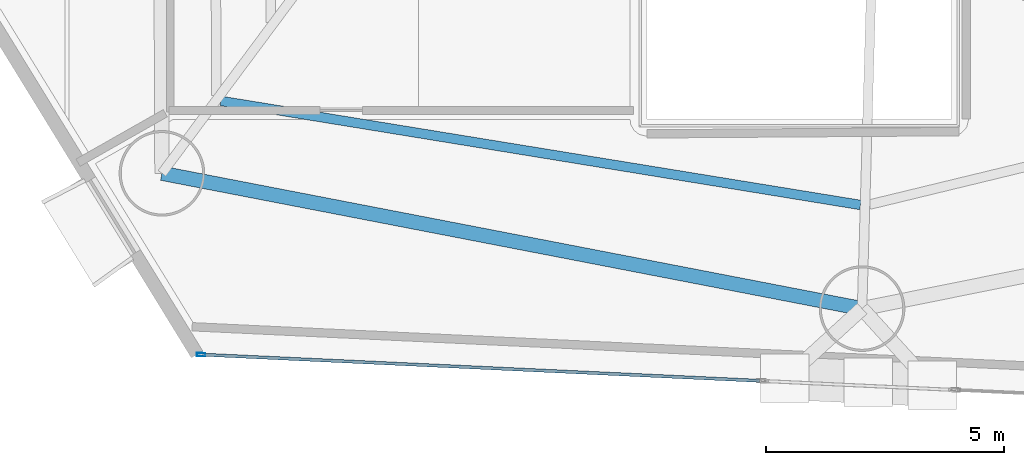
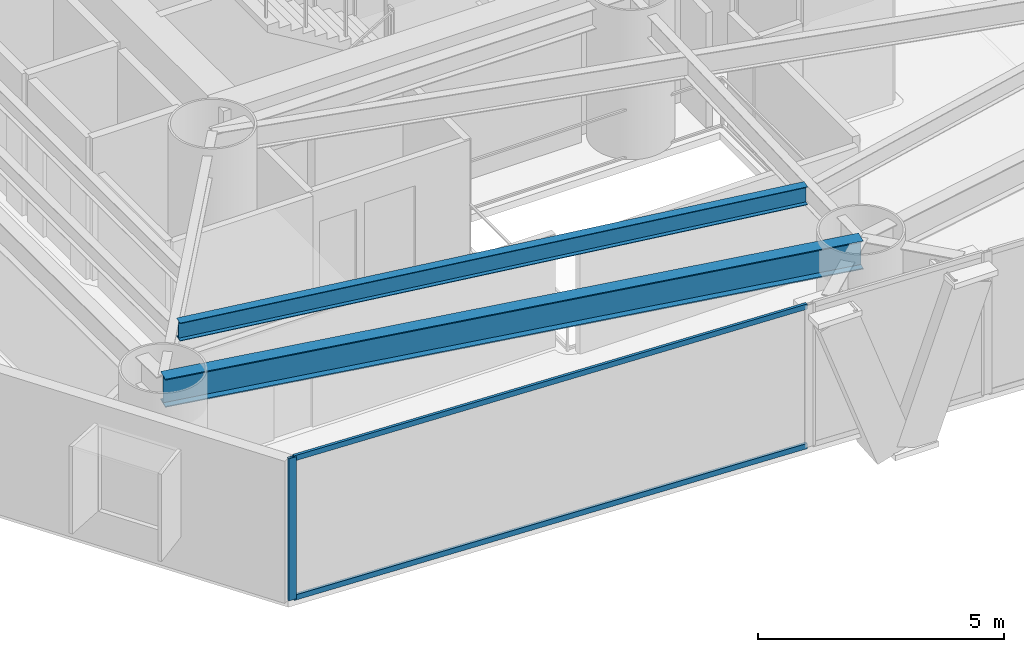
# One storey, part 2 of 23: 3 members, 2 beams, 1 element without a shape of its own.
"""IFC4 building model written with IfcOpenShell, lengths in metres."""

from ifc_helpers import new_model, si_unit, direction, frame, origin, origin_2d, place, context, subcontext, project, spatial, hollow_rectangle, i_section, extrude, material, layer, layer_set, material_profile, profile_set, type_object, element, aggregate, save


model = new_model("IFC4")

# Units and contexts
model_context = context("Model", 3, precision=1e-05, world=origin(), true_north=direction((0.0, 1.0)))
body_context = subcontext(model_context, "Body", "Model", "MODEL_VIEW")
ifc_project = project(units=[si_unit("LENGTHUNIT", "METRE"), si_unit("AREAUNIT", "SQUARE_METRE"), si_unit("VOLUMEUNIT", "CUBIC_METRE"), si_unit("PLANEANGLEUNIT", "RADIAN"), si_unit("MASSUNIT", "GRAM", prefix="KILO")], contexts=[model_context])

# Site, building, storey
site_placement = place(None, origin())
site = spatial("IfcSite", under=ifc_project, at=site_placement, CompositionType="ELEMENT")
building_placement = place(site_placement, origin())
building = spatial("IfcBuilding", under=site, at=building_placement, Name="Qianvela Tower", CompositionType="ELEMENT")
storey_placement = place(building_placement, frame((0.0, 0.0, 33.10009765625)))
storey = spatial("IfcBuildingStorey", under=building, at=storey_placement, Name="L07", CompositionType="ELEMENT", Elevation=33.10009765625)

# Beams
ifc_material_1 = material(Name="Steel Q355B", Category="steel")
ifc_material_profile_1 = material_profile(ifc_material_1, i_section(OverallWidth=0.199951171875, OverallDepth=0.449951171875, WebThickness=0.009033203125, FlangeThickness=0.013916015625, at=origin_2d()), Name="HN450x200x9x14")
ifc_profile_set_1 = profile_set([ifc_material_profile_1], Name="Steel Q355B")
beam_type_1 = type_object("IfcBeamType", Name="BM-HN450-JOIST", PredefinedType="JOIST", material=ifc_profile_set_1)
beam_1_placement = place(storey_placement, frame((24.641845703125, 18.38232421875, 3.29296875), z_axis=(0.987021609832, -0.160587489316, 0.0), x_axis=(0.160587489316, 0.987021609832, 0.0)))
element("IfcBeam", 1, at=beam_1_placement, inside=storey, type_object=beam_type_1, Name="L07 Secondary Composite Floor Joist 5.3", PredefinedType="JOIST", context=body_context, shape_type="SweptSolid", body=[
    extrude(i_section(OverallWidth=0.199951171875, OverallDepth=0.449951171875, WebThickness=0.009033203125, FlangeThickness=0.013916015625, at=origin_2d()), origin(), (0.0, 0.0, 1.0), 13.621826171875),
])
ifc_material_2 = material(Name="Steel Q355B", Category="steel")
ifc_material_profile_2 = material_profile(ifc_material_2, i_section(OverallWidth=0.300048828125, OverallDepth=0.699951171875, WebThickness=0.012939453125, FlangeThickness=0.02392578125, at=origin_2d()), Name="HN700x300x13x24")
ifc_profile_set_2 = profile_set([ifc_material_profile_2], Name="Steel Q355B")
beam_type_2 = type_object("IfcBeamType", Name="BM-HN700-SPAND", PredefinedType="SPANDREL", material=ifc_profile_set_2)
beam_2_placement = place(storey_placement, frame((23.404052734375, 16.860107421875, 3.16796875), z_axis=(0.981833040292, -0.189746886646, 0.0), x_axis=(0.189746886646, 0.981833040292, 0.0)))
element("IfcBeam", 2, at=beam_2_placement, inside=storey, type_object=beam_type_2, Name="L07 Perimeter Ring Spandrel Girder 5", PredefinedType="SPANDREL", context=body_context, shape_type="SweptSolid", body=[
    extrude(i_section(OverallWidth=0.300048828125, OverallDepth=0.699951171875, WebThickness=0.012939453125, FlangeThickness=0.02392578125, at=origin_2d()), origin(), (0.0, 0.0, 1.0), 14.98828125),
])

# Curtain wall, members
ifc_material_3 = material(Name="Anodised Architectural Aluminium and Low-E Glass", Category="aluminium")
ifc_layer = layer(ifc_material_3, 0.179931640625)
ifc_layer_set = layer_set([ifc_layer], Name="Anodised Architectural Aluminium and Low-E Glass")
curtain_wall_type = type_object("IfcCurtainWallType", Name="CW-COLIV-Z12", PredefinedType="USERDEFINED", material=ifc_layer_set)
curtain_wall_placement = place(storey_placement, origin())
curtain_wall = element("IfcCurtainWall", 3, at=curtain_wall_placement, inside=storey, type_object=curtain_wall_type, Name="L07 CW-COLIV-Z12 Curtain Wall 06A", ObjectType="CURTAIN_WALL_SYSTEM", PredefinedType="USERDEFINED")
ifc_material_4 = material(Name="Anodised Architectural Aluminium 6063-T6", Category="aluminium")
ifc_material_profile_3 = material_profile(ifc_material_4, hollow_rectangle(XDim=0.070068359375, YDim=0.179931640625, WallThickness=0.0048828125, at=origin_2d()), Name="ALU-MULL-70x180")
ifc_profile_set_3 = profile_set([ifc_material_profile_3], Name="Anodised Architectural Aluminium 6063-T6")
member_type_1 = type_object("IfcMemberType", Name="CW-COLIV-Z12-MULL", PredefinedType="MULLION", material=ifc_profile_set_3)
member_1_placement = place(storey_placement, frame((24.226318359375, 13.050048828125, 0.0), z_axis=(0.0, 0.0, 1.0), x_axis=(0.04688011233, 0.998900523109, 0.0)))
member_1 = element("IfcMember", 4, at=member_1_placement, type_object=member_type_1, Name="CW-3 mullion 1", PredefinedType="MULLION", context=body_context, shape_type="SweptSolid", body=[
    extrude(hollow_rectangle(XDim=0.070068359375, YDim=0.179931640625, WallThickness=0.0048828125, at=origin_2d()), origin(), (0.0, 0.0, 1.0), 3.52001953125),
])
ifc_material_5 = material(Name="Anodised Architectural Aluminium 6063-T6", Category="aluminium")
ifc_material_profile_4 = material_profile(ifc_material_5, hollow_rectangle(XDim=0.06494140625, YDim=0.1298828125, WallThickness=0.00439453125, at=origin_2d()), Name="ALU-TRAN-65x130")
ifc_profile_set_4 = profile_set([ifc_material_profile_4], Name="Anodised Architectural Aluminium 6063-T6")
member_type_2 = type_object("IfcMemberType", Name="CW-COLIV-Z12-TRAN", PredefinedType="USERDEFINED", material=ifc_profile_set_4)
member_2_placement = place(storey_placement, frame((24.26123046875, 13.04833984375, 0.032470703125), z_axis=(0.998900051335, -0.046890163609, 0.0), x_axis=(0.046890163609, 0.998900051335, 0.0)))
member_2 = element("IfcMember", 5, at=member_2_placement, type_object=member_type_2, Name="CW-3 transom 1.1", ObjectType="TRANSOM", PredefinedType="USERDEFINED", context=body_context, shape_type="SweptSolid", body=[
    extrude(hollow_rectangle(XDim=0.06494140625, YDim=0.1298828125, WallThickness=0.00439453125, at=origin_2d()), origin(), (0.0, 0.0, 1.0), 11.72021484375),
])
member_3_placement = place(storey_placement, frame((24.26123046875, 13.04833984375, 3.4873046875), z_axis=(0.998900051335, -0.046890163609, 0.0), x_axis=(0.046890163609, 0.998900051335, 0.0)))
member_3 = element("IfcMember", 6, at=member_3_placement, type_object=member_type_2, Name="CW-3 transom 1.2", ObjectType="TRANSOM", PredefinedType="USERDEFINED", context=body_context, shape_type="SweptSolid", body=[
    extrude(hollow_rectangle(XDim=0.06494140625, YDim=0.1298828125, WallThickness=0.00439453125, at=origin_2d()), origin(), (0.0, 0.0, 1.0), 11.72021484375),
])
aggregate(curtain_wall, [member_1, member_2, member_3])

save(model, "model.ifc")
